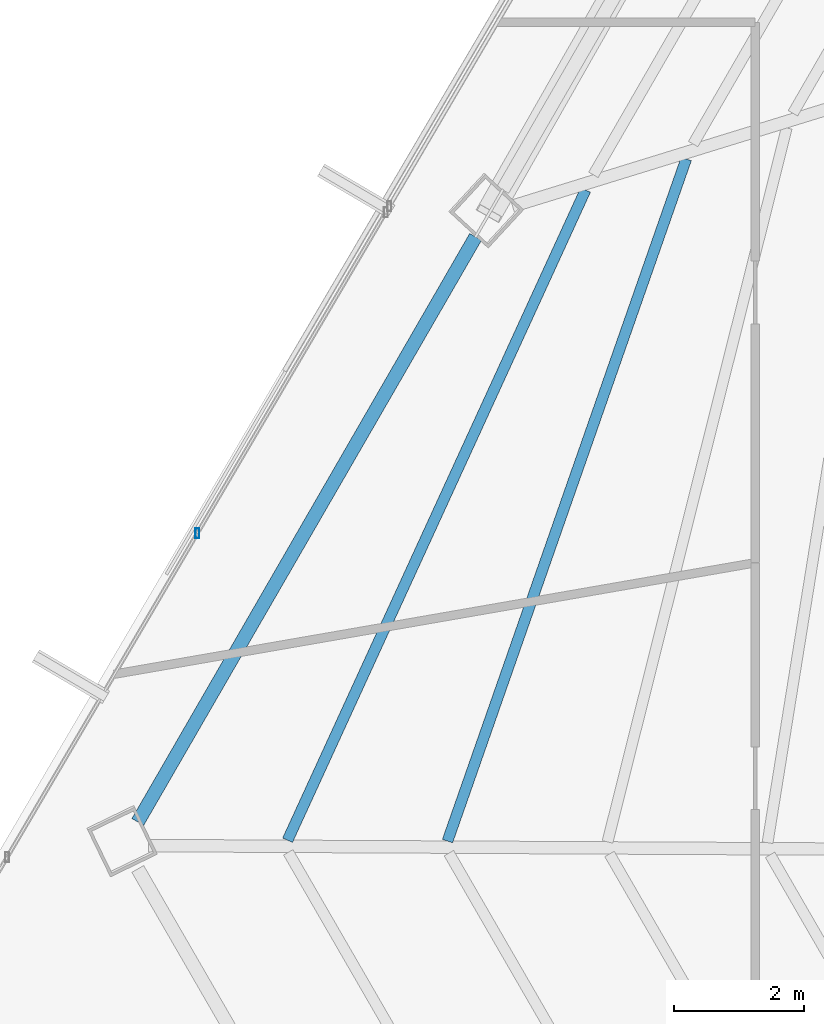
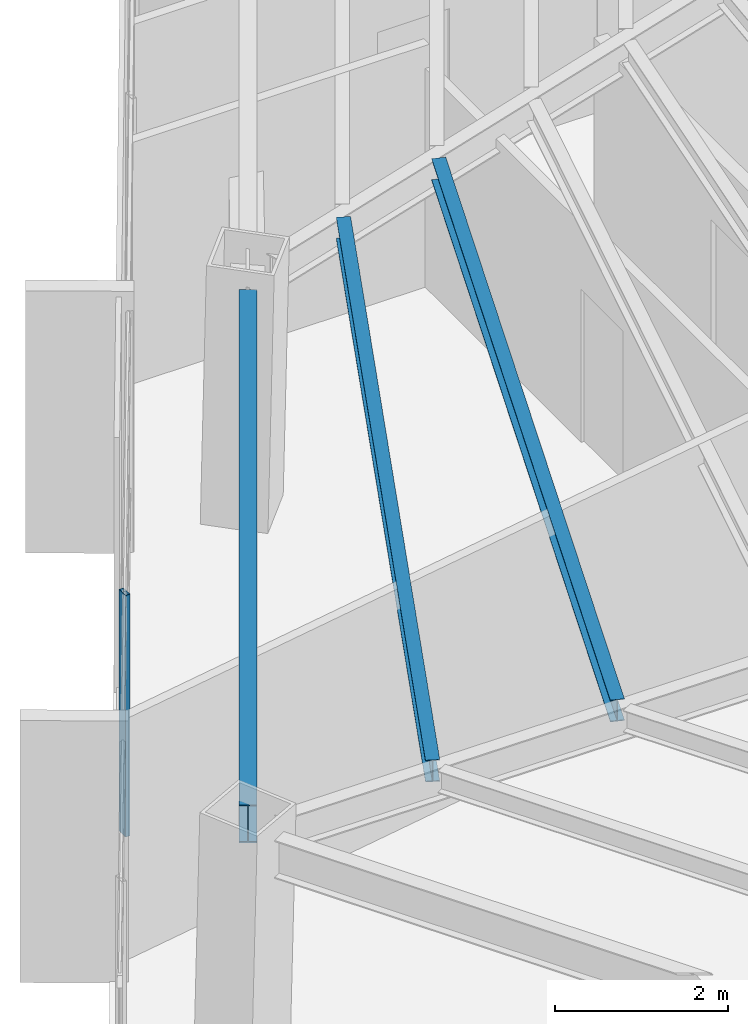
# One storey, part 13 of 42: 3 beams, 1 member, 1 element without a shape of its own.
"""IFC4 building model written with IfcOpenShell, lengths in metres."""

from ifc_helpers import new_model, si_unit, direction, frame, origin, origin_2d, place, context, subcontext, project, spatial, hollow_rectangle, i_section, extrude, source, transform, mapped, material, material_profile, profile_set, type_object, type_shapes, element, aggregate, save


model = new_model("IFC4")

# Units and contexts
model_context = context("Model", 3, precision=1e-05, world=origin(), true_north=direction((0.0, 1.0)))
body_context = subcontext(model_context, "Body", "Model", "MODEL_VIEW")
ifc_project = project(units=[si_unit("LENGTHUNIT", "METRE"), si_unit("AREAUNIT", "SQUARE_METRE"), si_unit("VOLUMEUNIT", "CUBIC_METRE"), si_unit("PLANEANGLEUNIT", "RADIAN"), si_unit("MASSUNIT", "GRAM", prefix="KILO")], contexts=[model_context])

# Site, building, storey
site_placement = place(None, origin())
site = spatial("IfcSite", under=ifc_project, at=site_placement, CompositionType="ELEMENT")
building_placement = place(site_placement, origin())
building = spatial("IfcBuilding", under=site, at=building_placement, Name="Caelisora Broadcast Tower", CompositionType="ELEMENT")
storey_placement = place(building_placement, frame((0.0, 0.0, 184.050048828125)))
storey = spatial("IfcBuildingStorey", under=building, at=storey_placement, Name="L48", CompositionType="ELEMENT", Elevation=184.050048828125)

# Beams
ifc_material_1 = material(Name="Steel Grade 350 (AS/NZS 3679.1)", Category="steel")
ifc_material_profile_1 = material_profile(ifc_material_1, i_section(OverallWidth=0.208984375, OverallDepth=0.532958984375, WebThickness=0.01025390625, FlangeThickness=0.015625, at=origin_2d()), Name="Steel Grade 350 (AS/NZS 3679.1)")
ifc_profile_set_1 = profile_set([ifc_material_profile_1], Name="Steel Grade 350 (AS/NZS 3679.1)")
beam_type_1 = type_object("IfcBeamType", Name="PG05", PredefinedType="BEAM", material=ifc_profile_set_1)
shared_shape_1 = source(origin(), body_context, "Body", "SweptSolid", [
    extrude(i_section(OverallWidth=0.208984375, OverallDepth=0.532958984375, WebThickness=0.01025390625, FlangeThickness=0.015625, at=origin_2d()), origin(), (0.0, 0.0, 1.0), 10.360107421875),
])
type_shapes(beam_type_1, [shared_shape_1])
beam_1_placement = place(storey_placement, frame((21.112548828125, 26.8076171875, 3.133544921875), z_axis=(-0.500006673782, -0.86602155064, 0.0), x_axis=(0.86602155064, -0.500006673782, 0.0)))
element("IfcBeam", 1, at=beam_1_placement, inside=storey, type_object=beam_type_1, Name="L48 beam PG05", PredefinedType="BEAM", context=body_context, shape_type="MappedRepresentation", body=[
    mapped(shared_shape_1, transform((0.0, 0.0, 0.0), scale=1.0)),
])
ifc_material_profile_2 = material_profile(ifc_material_1, i_section(OverallWidth=0.166015625, OverallDepth=0.30712890625, WebThickness=0.006591796875, FlangeThickness=0.01171875, at=origin_2d()), Name="Steel Grade 350 (AS/NZS 3679.1)")
ifc_profile_set_2 = profile_set([ifc_material_profile_2], Name="Steel Grade 350 (AS/NZS 3679.1)")
beam_type_2 = type_object("IfcBeamType", Name="SB03", PredefinedType="JOIST", material=ifc_profile_set_2)
shared_shape_2 = source(origin(), body_context, "Body", "SweptSolid", [
    extrude(i_section(OverallWidth=0.166015625, OverallDepth=0.30712890625, WebThickness=0.006591796875, FlangeThickness=0.01171875, at=origin_2d()), origin(), (0.0, 0.0, 1.0), 11.08203125),
])
beam_2_placement = place(storey_placement, frame((24.342041015625, 28.002685546875, 3.246337890625), z_axis=(-0.330276826159, -0.943884112644, 0.0), x_axis=(0.943884112644, -0.330276826159, 0.0)))
element("IfcBeam", 2, at=beam_2_placement, inside=storey, type_object=beam_type_2, Name="L48 beam SB03", PredefinedType="JOIST", context=body_context, shape_type="MappedRepresentation", body=[
    mapped(shared_shape_2, transform((0.0, 0.0, 0.0), scale=1.0)),
])
shared_shape_3 = source(origin(), body_context, "Body", "SweptSolid", [
    extrude(i_section(OverallWidth=0.166015625, OverallDepth=0.30712890625, WebThickness=0.006591796875, FlangeThickness=0.01171875, at=origin_2d()), origin(), (0.0, 0.0, 1.0), 10.96826171875),
])
type_shapes(beam_type_2, [shared_shape_2, shared_shape_3])
beam_3_placement = place(storey_placement, frame((22.79833984375, 27.5263671875, 3.246337890625), z_axis=(-0.416576531124, -0.909100651037, 0.0), x_axis=(0.909100651037, -0.416576531124, 0.0)))
element("IfcBeam", 3, at=beam_3_placement, inside=storey, type_object=beam_type_2, Name="L48 beam SB03", PredefinedType="JOIST", context=body_context, shape_type="MappedRepresentation", body=[
    mapped(shared_shape_3, transform((0.0, 0.0, 0.0), scale=1.0)),
])

# Curtain wall, member
ifc_material_2 = material(Name="Unitised Aluminium and Low-E Glass Curtain Wall", Category="glass")
curtain_wall_type = type_object("IfcCurtainWallType", Name="CW-Z4", PredefinedType="NOTDEFINED", material=ifc_material_2)
curtain_wall_placement = place(storey_placement, origin())
curtain_wall = element("IfcCurtainWall", 4, at=curtain_wall_placement, inside=storey, type_object=curtain_wall_type, Name="L48 curtain wall CW-Z4", PredefinedType="NOTDEFINED")
ifc_material_3 = material(Name="Aluminium 6063-T6 Anodised Terracotta Bronze", Category="aluminium")
ifc_material_profile_3 = material_profile(ifc_material_3, hollow_rectangle(XDim=0.06005859375, YDim=0.14990234375, WallThickness=0.00341796875, at=origin_2d()), Name="Aluminium 6063-T6 Anodised Terracotta Bronze")
ifc_profile_set_3 = profile_set([ifc_material_profile_3], Name="Aluminium 6063-T6 Anodised Terracotta Bronze")
member_type = type_object("IfcMemberType", Name="CWM-03", PredefinedType="MULLION", material=ifc_profile_set_3)
shared_shape_4 = source(origin(), body_context, "Body", "SweptSolid", [
    extrude(hollow_rectangle(XDim=0.06005859375, YDim=0.14990234375, WallThickness=0.00341796875, at=origin_2d()), origin(), (0.0, 0.0, 1.0), 3.39990234375),
])
type_shapes(member_type, [shared_shape_4])
member_placement = place(storey_placement, frame((16.845458984375, 22.261474609375, 0.0), z_axis=(0.0, 0.0, 1.0), x_axis=(1.0, 0.0, 0.0)))
member = element("IfcMember", 5, at=member_placement, type_object=member_type, Name="L48-CW-B09 mullion #2", PredefinedType="MULLION", context=body_context, shape_type="MappedRepresentation", body=[
    mapped(shared_shape_4, transform((0.0, 0.0, 0.0), scale=1.0)),
])
aggregate(curtain_wall, [member])

save(model, "model.ifc")
